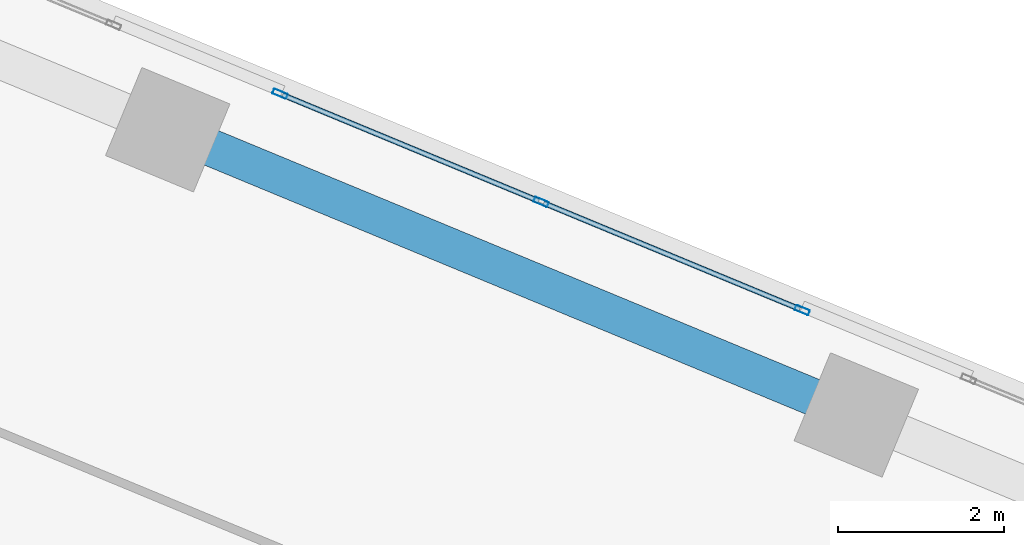
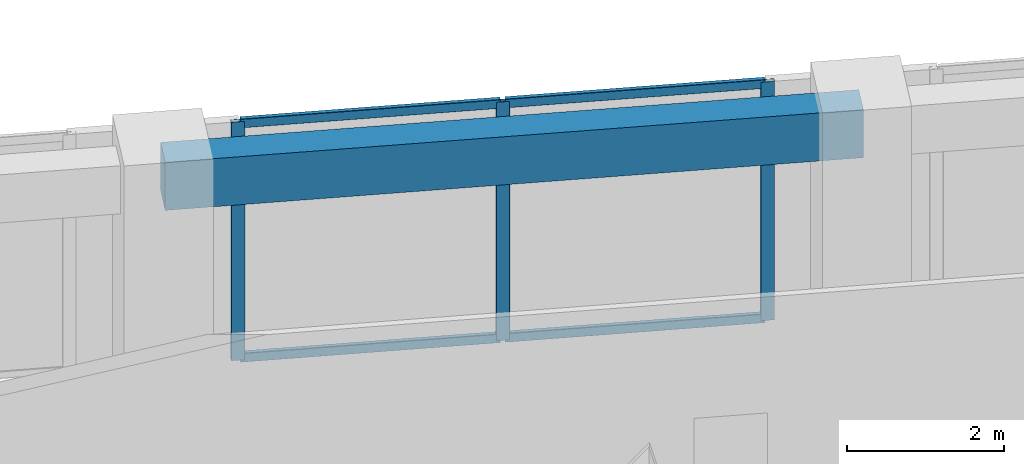
# One storey, part 15 of 24: 7 members, 1 beam, 1 element without a shape of its own.
"""IFC4 building model written with IfcOpenShell, lengths in metres."""

from ifc_helpers import new_model, si_unit, direction, frame, origin, origin_2d, place, context, subcontext, project, spatial, rectangle, hollow_rectangle, extrude, source, transform, mapped, material, material_profile, profile_set, type_object, element, aggregate, save


model = new_model("IFC4")

# Units and contexts
model_context = context("Model", 3, precision=1e-05, world=origin(), true_north=direction((0.0, 1.0)))
body_context = subcontext(model_context, "Body", "Model", "MODEL_VIEW")
ifc_project = project(units=[si_unit("LENGTHUNIT", "METRE"), si_unit("AREAUNIT", "SQUARE_METRE"), si_unit("VOLUMEUNIT", "CUBIC_METRE"), si_unit("PLANEANGLEUNIT", "RADIAN"), si_unit("MASSUNIT", "GRAM", prefix="KILO")], contexts=[model_context])

# Site, building, storey
site_placement = place(None, origin())
site = spatial("IfcSite", under=ifc_project, at=site_placement, CompositionType="ELEMENT")
building_placement = place(site_placement, origin())
building = spatial("IfcBuilding", under=site, at=building_placement, Name="Torre Montelarca", CompositionType="ELEMENT")
storey_placement = place(building_placement, frame((0.0, 0.0, 141.39990234375)))
storey = spatial("IfcBuildingStorey", under=building, at=storey_placement, Name="L31", CompositionType="ELEMENT", Elevation=141.39990234375)

# Beam
ifc_material_1 = material(Name="Concrete C55/67", Category="concrete")
ifc_material_profile_1 = material_profile(ifc_material_1, rectangle(XDim=0.449951171875, YDim=0.75, at=origin_2d()), Name="RCB450X750", Category="concrete")
ifc_profile_set_1 = profile_set([ifc_material_profile_1], Name="Concrete C55/67")
beam_type = type_object("IfcBeamType", Name="BM-SP-RC750-EXT", PredefinedType="SPANDREL", material=ifc_profile_set_1)
shared_shape_1 = source(origin(), body_context, "Body", "SweptSolid", [
    extrude(rectangle(XDim=0.449951171875, YDim=0.75, at=origin_2d()), origin(), (0.0, 0.0, 1.0), 8.999755859375),
])
beam_placement = place(storey_placement, frame((24.064208984375, 47.336181640625, 3.585205078125), z_axis=(0.923878298086, -0.382686412517, 0.0), x_axis=(0.382686412517, 0.923878298086, 0.0)))
element("IfcBeam", 1, at=beam_placement, inside=storey, type_object=beam_type, Name="L31 Grid Girder X 18.0-27.0 at Y=47.1", PredefinedType="SPANDREL", context=body_context, shape_type="MappedRepresentation", body=[
    mapped(shared_shape_1, transform((0.0, 0.0, 0.0), scale=1.0)),
])

# Curtain wall, members
ifc_material_2 = material(Name="Insulated low-E laminated glass", Category="glass")
curtain_wall_type = type_object("IfcCurtainWallType", Name="CW-SYS-Z2", PredefinedType="USERDEFINED", material=ifc_material_2)
curtain_wall_placement = place(storey_placement, origin())
curtain_wall = element("IfcCurtainWall", 2, at=curtain_wall_placement, inside=storey, type_object=curtain_wall_type, Name="L31 Curtain Wall Run CW-T3-L31-E08-B3", ObjectType="UNITISED GLAZING", PredefinedType="USERDEFINED")
ifc_material_3 = material(Name="Anodised aluminium AA 6063-T6", Category="aluminium")
ifc_material_profile_2 = material_profile(ifc_material_3, hollow_rectangle(XDim=0.06494140625, YDim=0.179931640625, WallThickness=0.00390625, InnerFilletRadius=0.00390625, OuterFilletRadius=0.008056640625, at=origin_2d()), Name="ALU65X180X4", Category="aluminium")
ifc_profile_set_2 = profile_set([ifc_material_profile_2], Name="Anodised aluminium AA 6063-T6")
member_type_1 = type_object("IfcMemberType", Name="CWM-ALU180", PredefinedType="MULLION", material=ifc_profile_set_2)
shared_shape_2 = source(origin(), body_context, "Body", "SweptSolid", [
    extrude(hollow_rectangle(XDim=0.06494140625, YDim=0.179931640625, WallThickness=0.00390625, InnerFilletRadius=0.00390625, OuterFilletRadius=0.008056640625, at=origin_2d()), origin(), (0.0, 0.0, 1.0), 3.72021484375),
])
member_1_placement = place(storey_placement, frame((31.726318359375, 45.158203125, 0.0), z_axis=(0.0, 0.0, 1.0), x_axis=(-0.382686352134, -0.923878323098, 0.0)))
member_1 = element("IfcMember", 3, at=member_1_placement, type_object=member_type_1, Name="CW mullion 1", PredefinedType="MULLION", context=body_context, shape_type="MappedRepresentation", body=[
    mapped(shared_shape_2, transform((0.0, 0.0, 0.0), scale=1.0)),
])
member_2_placement = place(storey_placement, frame((28.57373046875, 46.464111328125, 0.0), z_axis=(0.0, 0.0, 1.0), x_axis=(-0.382686352134, -0.923878323098, 0.0)))
member_2 = element("IfcMember", 4, at=member_2_placement, type_object=member_type_1, Name="CW mullion 2", PredefinedType="MULLION", context=body_context, shape_type="MappedRepresentation", body=[
    mapped(shared_shape_2, transform((0.0, 0.0, 0.0), scale=1.0)),
])
member_3_placement = place(storey_placement, frame((25.4208984375, 47.77001953125, 0.0), z_axis=(0.0, 0.0, 1.0), x_axis=(-0.382686352134, -0.923878323098, 0.0)))
member_3 = element("IfcMember", 5, at=member_3_placement, type_object=member_type_1, Name="CW mullion 3", PredefinedType="MULLION", context=body_context, shape_type="MappedRepresentation", body=[
    mapped(shared_shape_2, transform((0.0, 0.0, 0.0), scale=1.0)),
])
ifc_material_profile_3 = material_profile(ifc_material_3, hollow_rectangle(XDim=0.06494140625, YDim=0.139892578125, WallThickness=0.00390625, InnerFilletRadius=0.00390625, OuterFilletRadius=0.008056640625, at=origin_2d()), Name="ALU65X140X4", Category="aluminium")
ifc_profile_set_3 = profile_set([ifc_material_profile_3], Name="Anodised aluminium AA 6063-T6")
member_type_2 = type_object("IfcMemberType", Name="CWT-ALU140", PredefinedType="USERDEFINED", material=ifc_profile_set_3)
shared_shape_3 = source(origin(), body_context, "Body", "SweptSolid", [
    extrude(hollow_rectangle(XDim=0.06494140625, YDim=0.139892578125, WallThickness=0.00390625, InnerFilletRadius=0.00390625, OuterFilletRadius=0.008056640625, at=origin_2d()), origin(), (0.0, 0.0, 1.0), 3.34765625),
])
member_4_placement = place(storey_placement, frame((28.543701171875, 46.4765625, 0.03271484375), z_axis=(-0.923886169615, 0.382667408586, 0.0), x_axis=(-0.382667408586, -0.923886169615, 0.0)))
member_4 = element("IfcMember", 6, at=member_4_placement, type_object=member_type_2, Name="CW transom 2.1", ObjectType="TRANSOM", PredefinedType="USERDEFINED", context=body_context, shape_type="MappedRepresentation", body=[
    mapped(shared_shape_3, transform((0.0, 0.0, 0.0), scale=1.0)),
])
member_5_placement = place(storey_placement, frame((28.543701171875, 46.4765625, 3.6875), z_axis=(-0.923886169615, 0.382667408586, 0.0), x_axis=(-0.382667408586, -0.923886169615, 0.0)))
member_5 = element("IfcMember", 7, at=member_5_placement, type_object=member_type_2, Name="CW transom 2.2", ObjectType="TRANSOM", PredefinedType="USERDEFINED", context=body_context, shape_type="MappedRepresentation", body=[
    mapped(shared_shape_3, transform((0.0, 0.0, 0.0), scale=1.0)),
])
shared_shape_4 = source(origin(), body_context, "Body", "SweptSolid", [
    extrude(hollow_rectangle(XDim=0.06494140625, YDim=0.139892578125, WallThickness=0.00390625, InnerFilletRadius=0.00390625, OuterFilletRadius=0.008056640625, at=origin_2d()), origin(), (0.0, 0.0, 1.0), 3.347412109375),
])
member_6_placement = place(storey_placement, frame((31.6962890625, 45.170654296875, 0.03271484375), z_axis=(-0.923875488976, 0.382693194178, 0.0), x_axis=(-0.382693194178, -0.923875488976, 0.0)))
member_6 = element("IfcMember", 8, at=member_6_placement, type_object=member_type_2, Name="CW transom 1.1", ObjectType="TRANSOM", PredefinedType="USERDEFINED", context=body_context, shape_type="MappedRepresentation", body=[
    mapped(shared_shape_4, transform((0.0, 0.0, 0.0), scale=1.0)),
])
member_7_placement = place(storey_placement, frame((31.6962890625, 45.170654296875, 3.6875), z_axis=(-0.923875488976, 0.382693194178, 0.0), x_axis=(-0.382693194178, -0.923875488976, 0.0)))
member_7 = element("IfcMember", 9, at=member_7_placement, type_object=member_type_2, Name="CW transom 1.2", ObjectType="TRANSOM", PredefinedType="USERDEFINED", context=body_context, shape_type="MappedRepresentation", body=[
    mapped(shared_shape_4, transform((0.0, 0.0, 0.0), scale=1.0)),
])
aggregate(curtain_wall, [member_1, member_2, member_3, member_6, member_7, member_4, member_5])

save(model, "model.ifc")
